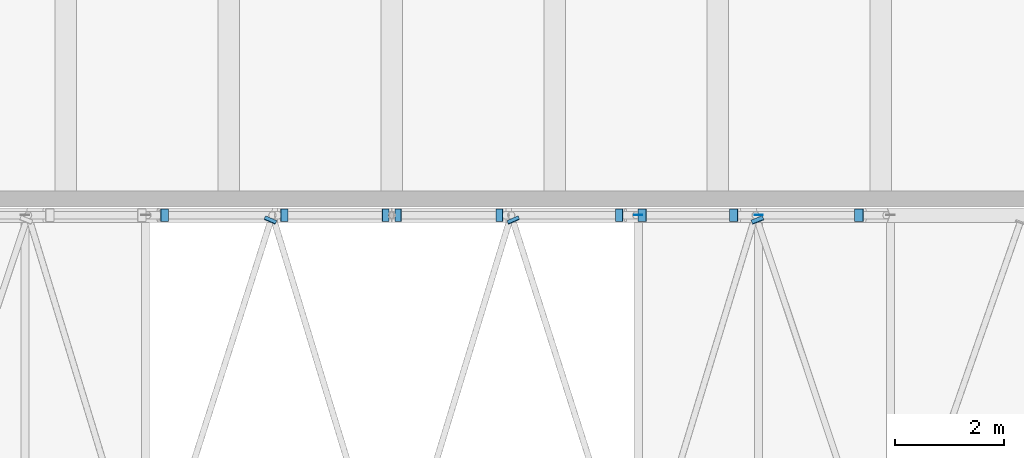
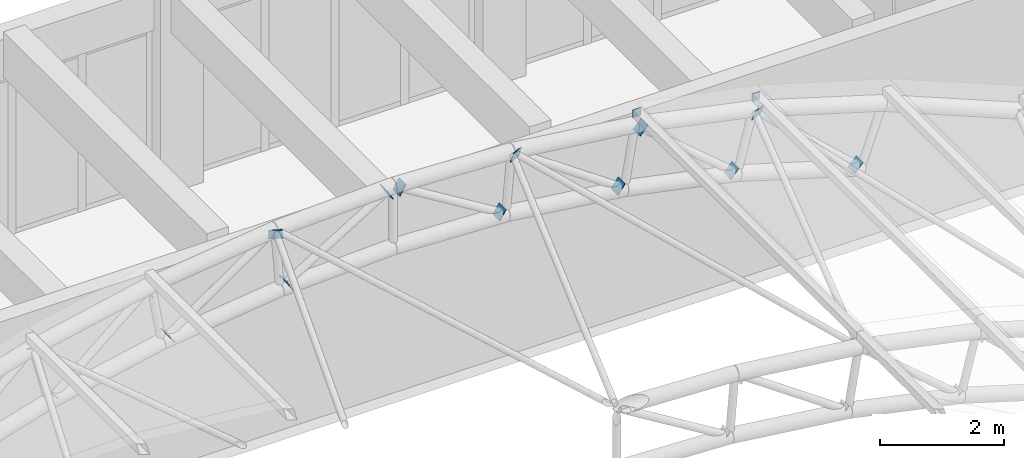
# One storey, part 79 of 92: 14 discrete accessories.
"""IFC4 building model written with IfcOpenShell, lengths in metres."""

from ifc_helpers import new_model, si_unit, direction, frame, origin, origin_2d, place, context, subcontext, project, spatial, rectangle, extrude, material, material_profile, profile_set, type_object, element, save


model = new_model("IFC4")

# Units and contexts
model_context = context("Model", 3, precision=1e-05, world=origin(), true_north=direction((0.0, 1.0)))
body_context = subcontext(model_context, "Body", "Model", "MODEL_VIEW")
ifc_project = project(units=[si_unit("LENGTHUNIT", "METRE"), si_unit("AREAUNIT", "SQUARE_METRE"), si_unit("VOLUMEUNIT", "CUBIC_METRE"), si_unit("PLANEANGLEUNIT", "RADIAN"), si_unit("MASSUNIT", "GRAM", prefix="KILO")], contexts=[model_context])

# Site, building, storey
site_placement = place(None, origin())
site = spatial("IfcSite", under=ifc_project, at=site_placement, CompositionType="ELEMENT")
building_placement = place(site_placement, origin())
building = spatial("IfcBuilding", under=site, at=building_placement, Name="Laocheng Heights Fire and Rescue Headquarters", CompositionType="ELEMENT")
storey_placement = place(building_placement, frame((0.0, 0.0, 12.60009765625)))
storey = spatial("IfcBuildingStorey", under=building, at=storey_placement, Name="L03", CompositionType="ELEMENT", Elevation=12.60009765625)

# Discrete accessories
ifc_material_1 = material(Name="Steel Q355B", Category="steel")
ifc_material_profile_1 = material_profile(ifc_material_1, rectangle(XDim=0.14990234375, YDim=0.14990234375, at=origin_2d()), Name="END CAP PLATE 150 x 150 x 8 FOR BAY ROOF PURLIN SHS 150x150x8")
ifc_profile_set_1 = profile_set([ifc_material_profile_1], Name="Steel Q355B")
discrete_accessory_type_1 = type_object("IfcDiscreteAccessoryType", Name="END CAP PLATE 150 x 150 x 8 FOR BAY ROOF PURLIN SHS 150x150x8", PredefinedType="BRACKET", material=ifc_profile_set_1)
for number, where, z_axis, x_axis, name in (
    (1, (40.534912109375, 21.60009765625, 4.047119140625), (0.0, 1.0, 0.0), (-1.0, 0.0, 0.0), "Cap plate at Purlin 11.3 end 2"),
    (2, (42.75, 21.60009765625, 3.587890625), (0.0, 1.0, 0.0), (-1.0, 0.0, 0.0), "Cap plate at Purlin 12.3 end 2"),
):
    element("IfcDiscreteAccessory", number, at=place(storey_placement, frame(where, z_axis=z_axis, x_axis=x_axis)), inside=storey, type_object=discrete_accessory_type_1, Name=name, PredefinedType="BRACKET", context=body_context, shape_type="SweptSolid", body=[
        extrude(rectangle(XDim=0.14990234375, YDim=0.14990234375, at=origin_2d()), origin(), (0.0, 0.0, 1.0), 0.0078125),
    ])
ifc_material_2 = material(Name="Steel Q355B, dark grey painted", Category="steel")
ifc_material_profile_2 = material_profile(ifc_material_2, rectangle(XDim=0.22509765625, YDim=0.22509765625, at=origin_2d()), Name="GUSSET PLATE 225 x 225 x 12 FOR BAY ROOF DIAG CHS 139.7x6")
ifc_profile_set_2 = profile_set([ifc_material_profile_2], Name="Steel Q355B, dark grey painted")
discrete_accessory_type_2 = type_object("IfcDiscreteAccessoryType", Name="GUSSET PLATE 225 x 225 x 12 FOR BAY ROOF DIAG CHS 139.7x6", PredefinedType="BRACKET", material=ifc_profile_set_2)
for number, where, z_axis, x_axis, name in (
    (3, (31.809814453125, 21.60009765625, 2.719482421875), (0.809610443394, 0.0, 0.586967571461), (0.0, 1.0, 0.0), "End plate at TR4-DG07 end 1"),
    (4, (34.014404296875, 21.60009765625, 2.98486328125), (0.84450857845, 0.0, 0.535542025358), (0.0, 1.0, 0.0), "End plate at TR4-DG08 end 1"),
    (5, (35.87548828125, 21.60009765625, 4.123779296875), (0.85929288441, 0.0, 0.511483859768), (0.0, 1.0, 0.0), "End plate at TR4-DG08 end 2"),
    (6, (37.985595703125, 21.60009765625, 2.98486328125), (-0.84450857845, 0.0, 0.535542025358), (0.0, -1.0, 0.0), "End plate at TR4-DG09 end 1"),
    (7, (36.12451171875, 21.60009765625, 4.123779296875), (-0.85929288441, 0.0, 0.511483859768), (0.0, -1.0, 0.0), "End plate at TR4-DG09 end 2"),
    (8, (40.190185546875, 21.60009765625, 2.719482421875), (-0.809610443394, 0.0, 0.586967571461), (0.0, -1.0, 0.0), "End plate at TR4-DG10 end 1"),
    (9, (42.298095703125, 21.60009765625, 2.289794921875), (-0.756363172452, 0.0, 0.654151932932), (0.0, -1.0, 0.0), "End plate at TR4-DG11 end 1"),
    (10, (40.60888671875, 21.60009765625, 3.732177734375), (-0.756363172452, 0.0, 0.654151932932), (0.0, -1.0, 0.0), "End plate at TR4-DG11 end 2"),
):
    element("IfcDiscreteAccessory", number, at=place(storey_placement, frame(where, z_axis=z_axis, x_axis=x_axis)), inside=storey, type_object=discrete_accessory_type_2, Name=name, PredefinedType="BRACKET", context=body_context, shape_type="SweptSolid", body=[
        extrude(rectangle(XDim=0.22509765625, YDim=0.22509765625, at=origin_2d()), origin(), (0.0, 0.0, 1.0), 0.011962890625),
    ])
discrete_accessory_placement = place(storey_placement, frame((44.601806640625, 21.60009765625, 1.597900390625), z_axis=(-0.72701315255, 0.0, 0.686623532964), x_axis=(0.0, -1.0, 0.0)))
element("IfcDiscreteAccessory", 11, at=discrete_accessory_placement, inside=storey, type_object=discrete_accessory_type_2, Name="End plate at TR4-DG12 end 1", PredefinedType="BRACKET", context=body_context, shape_type="SweptSolid", body=[
    extrude(rectangle(XDim=0.22509765625, YDim=0.22509765625, at=origin_2d()), origin(), (0.0, 0.0, 1.0), 0.01220703125),
])
ifc_material_3 = material(Name="Steel Q355B, dark grey painted", Category="steel")
ifc_material_profile_3 = material_profile(ifc_material_3, rectangle(XDim=0.22509765625, YDim=0.22509765625, at=origin_2d()), Name="NODE PLATE 225 x 225 x 12 FOR BAY ROOF BRACE CHS 114.3x5")
ifc_profile_set_3 = profile_set([ifc_material_profile_3], Name="Steel Q355B, dark grey painted")
discrete_accessory_type_3 = type_object("IfcDiscreteAccessoryType", Name="NODE PLATE 225 x 225 x 12 FOR BAY ROOF BRACE CHS 114.3x5", PredefinedType="BRACKET", material=ifc_profile_set_3)
for number, where, z_axis, x_axis, name in (
    (12, (33.7666015625, 21.51611328125, 4.084716796875), (-0.387351988196, -0.876638710129, -0.285417254461), (0.914686604095, -0.404163848321, 0.0), "Node plate at BR23 end 2, BR24 end 2, TR4-DG07 end 2"),
    (13, (38.2333984375, 21.51611328125, 4.084716796875), (0.387351988196, -0.876638710129, -0.285417254461), (0.914686604095, 0.404163848321, 0.0), "Node plate at BR25 end 2, BR26 end 2, TR4-DG10 end 2"),
    (14, (42.727294921875, 21.5166015625, 3.33544921875), (0.347445625708, -0.878833053262, -0.327007647725), (0.929960720174, 0.367658889371, 0.0), "Node plate at BR27 end 2, BR28 end 2, TR4-DG12 end 2"),
):
    element("IfcDiscreteAccessory", number, at=place(storey_placement, frame(where, z_axis=z_axis, x_axis=x_axis)), inside=storey, type_object=discrete_accessory_type_3, Name=name, PredefinedType="BRACKET", context=body_context, shape_type="SweptSolid", body=[
        extrude(rectangle(XDim=0.22509765625, YDim=0.22509765625, at=origin_2d()), origin(), (0.0, 0.0, 1.0), 0.011962890625),
    ])

save(model, "model.ifc")
